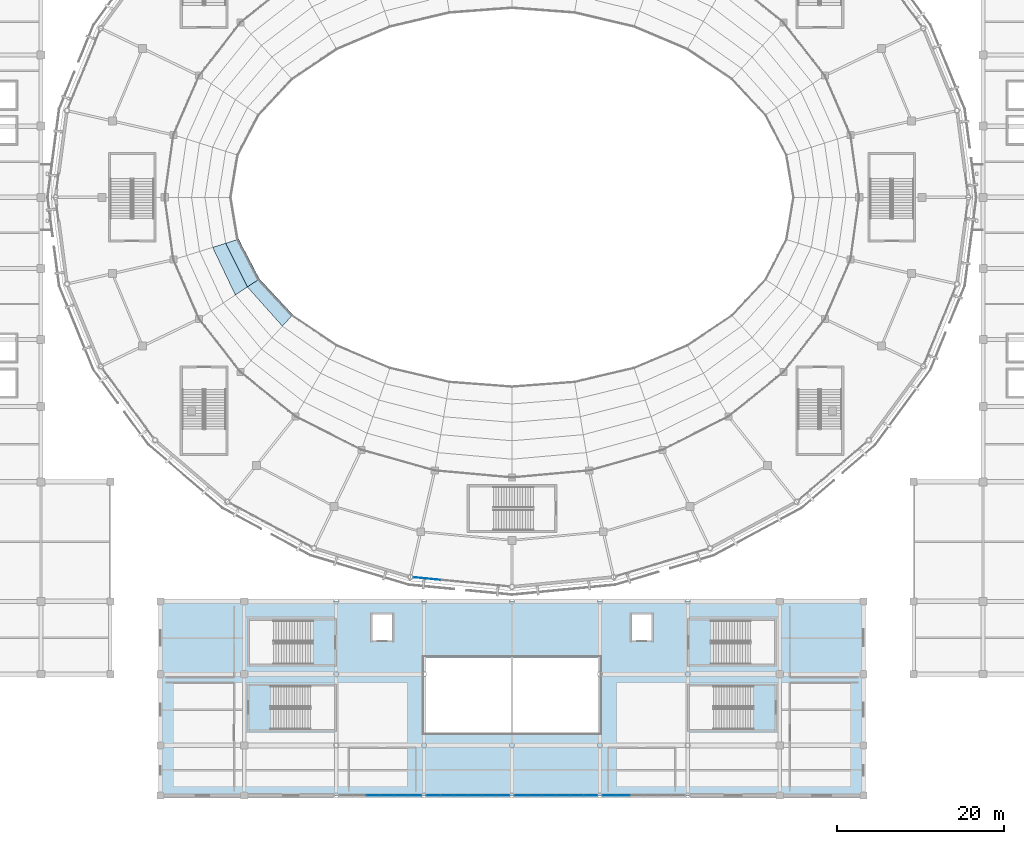
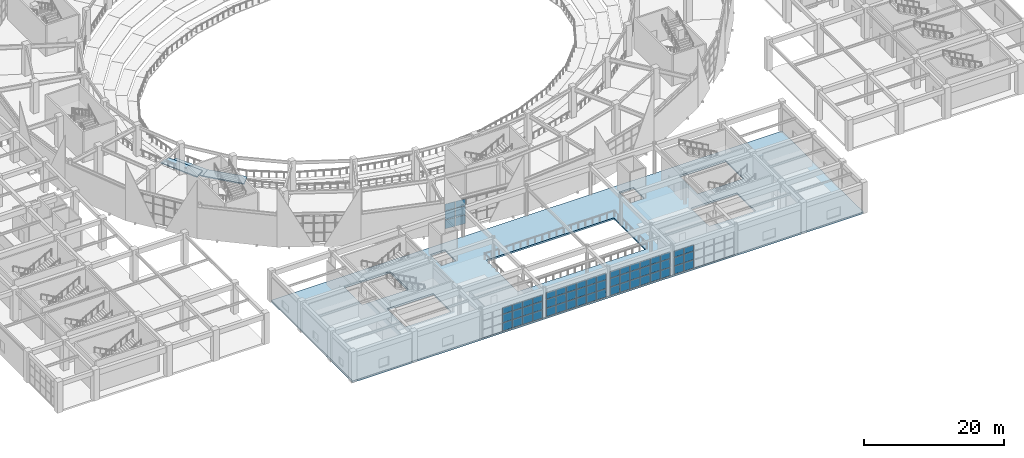
# One storey, part 59 of 120: 60 plates, 4 slabs, 5 elements without a shape of their own.
"""IFC4 building model written with IfcOpenShell, lengths in metres."""

import ifcopenshell
import ifcopenshell.guid

model = None  # the IFC model being written
_history = None  # IfcOwnerHistory: only IFC2X3 demands one
_inside = {}  # id of a spatial element -> (the spatial element, [elements in it])
_under = {}  # id of a project, library or spatial element -> (it, [spatial elements below it])
_declared = {}  # id of a project -> (the project, [libraries it declares])
_typed = {}  # id of a type object -> (the type object, [elements of that type])
_made_of = {}  # id of a material, layer set ... -> (it, [elements and type objects made of it])


def new_model(schema):
    """Start an empty IFC model of exactly this schema.

    Asked for "IFC4X3", IfcOpenShell would pick the latest addendum, in which some entities
    have other attributes; the version numbers below select the first issue.
    IFC2X3 requires an IfcOwnerHistory on every rooted entity: one is made here for all.
    """
    global model, _history
    if schema == "IFC4X3":
        model = ifcopenshell.file(schema_version=(4, 3, 0, 0))
    else:
        model = ifcopenshell.file(schema=schema)
    _inside.clear()
    _under.clear()
    _declared.clear()
    _typed.clear()
    _made_of.clear()
    _history = None
    if model.schema == "IFC2X3":
        org = make("IfcOrganization", Name="unknown")
        user = make(
            "IfcPersonAndOrganization",
            ThePerson=make("IfcPerson", FamilyName="unknown"),
            TheOrganization=org,
        )
        app = make(
            "IfcApplication",
            ApplicationDeveloper=org,
            Version="unknown",
            ApplicationFullName="unknown",
            ApplicationIdentifier="unknown",
        )
        _history = make(
            "IfcOwnerHistory",
            OwningUser=user,
            OwningApplication=app,
            ChangeAction="ADDED",
            CreationDate=0,
        )
    return model


def make(cls, **values):
    """One entity of the class cls with the attributes given. An attribute that is None is left unset."""
    return model.create_entity(
        cls, **{name: value for name, value in values.items() if value is not None}
    )


def rooted(cls, **values):
    """An entity with a GlobalId (a new one), such as an element, a storey or a relation."""
    return make(cls, GlobalId=ifcopenshell.guid.new(), OwnerHistory=_history, **values)


def si_unit(unit_type, name, prefix=None):
    """IfcSIUnit, for example si_unit("LENGTHUNIT", "METRE", prefix="MILLI")."""
    return make("IfcSIUnit", UnitType=unit_type, Prefix=prefix, Name=name)


def assignment(units):
    """IfcUnitAssignment: the units of a project."""
    return None if units is None else make("IfcUnitAssignment", Units=units)


def point(xyz):
    """IfcCartesianPoint."""
    return None if xyz is None else make("IfcCartesianPoint", Coordinates=xyz)


def direction(xyz):
    """IfcDirection."""
    return None if xyz is None else make("IfcDirection", DirectionRatios=xyz)


def frame(location, z_axis=None, x_axis=None):
    """IfcAxis2Placement3D, a coordinate frame: its origin and axes. An axis left out is left unset."""
    return make(
        "IfcAxis2Placement3D",
        Location=point(location),
        Axis=direction(z_axis),
        RefDirection=direction(x_axis),
    )


def frame_2d(location, x_axis=None):
    """IfcAxis2Placement2D, a coordinate frame in the plane: its origin and x axis."""
    return make(
        "IfcAxis2Placement2D", Location=point(location), RefDirection=direction(x_axis)
    )


def origin():
    """The frame at (0, 0, 0) with its axes left unset."""
    return frame((0.0, 0.0, 0.0))


def origin_2d():
    """The frame at (0, 0) in the plane with its x axis left unset."""
    return frame_2d((0.0, 0.0))


def place(relative_to, where):
    """IfcLocalPlacement: puts the frame where relative to a parent placement (None: the world)."""
    return make(
        "IfcLocalPlacement", PlacementRelTo=relative_to, RelativePlacement=where
    )


def context(
    kind, dimensions, precision=None, world=None, true_north=None, identifier=None
):
    """IfcGeometricRepresentationContext, for example the 3D "Model" context."""
    return make(
        "IfcGeometricRepresentationContext",
        ContextIdentifier=identifier,
        ContextType=kind,
        CoordinateSpaceDimension=dimensions,
        Precision=precision,
        WorldCoordinateSystem=world,
        TrueNorth=true_north,
    )


def subcontext(parent, identifier, kind, view, scale=None):
    """IfcGeometricRepresentationSubContext, for example "Body" below "Model"."""
    return make(
        "IfcGeometricRepresentationSubContext",
        ContextIdentifier=identifier,
        ContextType=kind,
        ParentContext=parent,
        TargetScale=scale,
        TargetView=view,
    )


def project(units=None, contexts=None):
    """IfcProject with its units and contexts."""
    return rooted(
        "IfcProject",
        Name="project",
        RepresentationContexts=contexts,
        UnitsInContext=assignment(units),
    )


def spatial(cls, under=None, at=None, **own):
    """A site, building, storey or space (cls), placed at a placement, below another one or the project."""
    s = rooted(cls, ObjectPlacement=at, **own)
    if under is not None:
        _under.setdefault(under.id(), (under, []))[1].append(s)
    return s


def polyline(points):
    """IfcPolyline through the points."""
    return make("IfcPolyline", Points=[point(p) for p in points])


def profile(cls, at=None, kind="AREA", **sizes):
    """A parametric profile (cls). Its sizes go by their IFC names, for example OverallWidth=200.0."""
    return make(cls, ProfileType=kind, Position=at, **sizes)


def rectangle(**sizes):
    """IfcRectangleProfileDef."""
    return profile("IfcRectangleProfileDef", **sizes)


def outline(outer, holes=None, kind="AREA"):
    """IfcArbitraryClosedProfileDef: a profile drawn as a closed curve; with holes, ...WithVoids."""
    if holes is None:
        return make("IfcArbitraryClosedProfileDef", ProfileType=kind, OuterCurve=outer)
    return make(
        "IfcArbitraryProfileDefWithVoids",
        ProfileType=kind,
        OuterCurve=outer,
        InnerCurves=holes,
    )


def extrude(swept, where, along, depth):
    """IfcExtrudedAreaSolid: the profile swept, set in the frame where, extruded along a direction by depth."""
    return make(
        "IfcExtrudedAreaSolid",
        SweptArea=swept,
        Position=where,
        ExtrudedDirection=direction(along),
        Depth=depth,
    )


def shape(context_of_items, identifier, shape_type, items):
    """IfcShapeRepresentation: the items that make up one representation, for example the "Body"."""
    return make(
        "IfcShapeRepresentation",
        ContextOfItems=context_of_items,
        RepresentationIdentifier=identifier,
        RepresentationType=shape_type,
        Items=items,
    )


def material(Name=None, Category=None):
    """IfcMaterial."""
    return make("IfcMaterial", Name=Name, Category=Category)


def layer(
    of_material, thickness, ventilated=None, Name=None, Category=None, Priority=None
):
    """IfcMaterialLayer: one layer of a wall or slab, of a material (None: an air gap)."""
    return make(
        "IfcMaterialLayer",
        Material=of_material,
        LayerThickness=thickness,
        IsVentilated=ventilated,
        Name=Name,
        Category=Category,
        Priority=Priority,
    )


def layer_set(layers, Name=None):
    """IfcMaterialLayerSet."""
    return make("IfcMaterialLayerSet", MaterialLayers=layers, LayerSetName=Name)


def made_of(thing, what):
    """Note that an element or type object is made of a material, layer set ...; save() writes the relation."""
    if what is not None:
        _made_of.setdefault(what.id(), (what, []))[1].append(thing)
    return thing


def type_object(cls, material=None, **own):
    """A type object (cls), such as IfcWallType, which elements share."""
    return made_of(rooted(cls, **own), material)


def element(
    cls,
    number,
    at=None,
    inside=None,
    cuts=None,
    type_object=None,
    material=None,
    context=None,
    identifier="Body",
    shape_type=None,
    held_by="IfcProductDefinitionShape",
    body=None,
    shapes=None,
    **own,
):
    """One element of the class cls, such as IfcWall. Its Tag is "e" and its number.

    at: its placement. inside: the storey or other place that contains it. cuts: it is an
    opening in that element (IfcRelVoidsElement). A single representation is given by context,
    identifier, shape_type and body (its items); several are given by shapes. held_by: the class
    of the entity that holds the representations. save() writes the other relations.
    """
    e = rooted(cls, Tag="e%d" % number, ObjectPlacement=at, **own)
    if body is not None:
        shapes = [shape(context, identifier, shape_type, body)]
    if shapes is not None:
        e.Representation = make(held_by, Representations=shapes)
    if inside is not None:
        _inside.setdefault(inside.id(), (inside, []))[1].append(e)
    if cuts is not None:
        rooted(
            "IfcRelVoidsElement", RelatingBuildingElement=cuts, RelatedOpeningElement=e
        )
    if type_object is not None:
        _typed.setdefault(type_object.id(), (type_object, []))[1].append(e)
    return made_of(e, material)


def aggregate(whole, parts):
    """IfcRelAggregates: a whole, such as a stair, and the parts it consists of."""
    return rooted("IfcRelAggregates", RelatingObject=whole, RelatedObjects=parts)


def save(model, path):
    """Write the relations noted so far, then the file.

    IfcRelAggregates (storeys below a building ...), IfcRelContainedInSpatialStructure (elements
    in a storey), IfcRelDefinesByType, IfcRelAssociatesMaterial and IfcRelDeclares: one each for
    every whole, place, type object, material and project.
    """
    for whole, parts in _under.values():
        aggregate(whole, parts)
    for where, things in _inside.values():
        rooted(
            "IfcRelContainedInSpatialStructure",
            RelatedElements=things,
            RelatingStructure=where,
        )
    for kind, things in _typed.values():
        rooted("IfcRelDefinesByType", RelatedObjects=things, RelatingType=kind)
    for what, things in _made_of.values():
        rooted("IfcRelAssociatesMaterial", RelatedObjects=things, RelatingMaterial=what)
    for by, libraries in _declared.values():
        rooted("IfcRelDeclares", RelatingContext=by, RelatedDefinitions=libraries)
    model.write(path)


model = new_model("IFC4")

# Units and contexts
model_context = context("Model", 3, precision=1e-05, world=origin(), true_north=direction((0.0, 1.0)))
body_context = subcontext(model_context, "Body", "Model", "MODEL_VIEW")
ifc_project = project(units=[si_unit("LENGTHUNIT", "METRE"), si_unit("AREAUNIT", "SQUARE_METRE"), si_unit("VOLUMEUNIT", "CUBIC_METRE"), si_unit("PLANEANGLEUNIT", "RADIAN"), si_unit("MASSUNIT", "GRAM", prefix="KILO")], contexts=[model_context])

# Site, building, storey
site_placement = place(None, origin())
site = spatial("IfcSite", under=ifc_project, at=site_placement, CompositionType="ELEMENT")
building_placement = place(site_placement, origin())
building = spatial("IfcBuilding", under=site, at=building_placement, Name="Cuetzalor Civic Arena", CompositionType="ELEMENT")
storey_placement = place(building_placement, frame((0.0, 0.0, 6.0)))
storey = spatial("IfcBuildingStorey", under=building, at=storey_placement, Name="L01", CompositionType="ELEMENT", Elevation=6.0)

# Curtain wall, plates
ifc_material_1 = material(Name="Anodised dark bronze aluminium and low-E solar glass", Category="aluminium")
curtain_wall_type_1 = type_object("IfcCurtainWallType", Name="UnitisedCW_11550x4450", PredefinedType="USERDEFINED", material=ifc_material_1)
curtain_wall_1_placement = place(storey_placement, origin())
curtain_wall_1 = element("IfcCurtainWall", 1, at=curtain_wall_1_placement, inside=storey, type_object=curtain_wall_type_1, Name="Drum Triangle Foyer Curtain Wall L01-029", ObjectType="UNITISED CURTAIN WALL", PredefinedType="USERDEFINED")
ifc_material_2 = material(Name="Acoustic laminated solar control glass", Category="glass")
ifc_layer_1 = layer(ifc_material_2, 0.0439453125)
ifc_layer_set_1 = layer_set([ifc_layer_1], Name="Acoustic laminated solar control glass")
plate_type_1 = type_object("IfcPlateType", Name="AcousticTripleGlazedPanel_44", PredefinedType="CURTAIN_PANEL", material=ifc_layer_set_1)
plate_1_placement = place(storey_placement, frame((-9.3583984375, -45.650146484375, 0.06494140625), z_axis=(0.0, 0.0, 1.0), x_axis=(-0.995409139996, 0.095711253324, 0.0)))
plate_1 = element("IfcPlate", 2, at=plate_1_placement, type_object=plate_type_1, Name="CW-08 panel 6.1", PredefinedType="CURTAIN_PANEL", context=body_context, shape_type="SweptSolid", body=[
    extrude(rectangle(XDim=1.587158203125, YDim=0.0439453125, at=origin_2d()), origin(), (0.0, 0.0, 1.0), 1.49853515625),
])
plate_2_placement = place(storey_placement, frame((-9.3583984375, -45.650146484375, 1.62841796875), z_axis=(0.0, 0.0, 1.0), x_axis=(-0.995409139996, 0.095711253324, 0.0)))
plate_2 = element("IfcPlate", 3, at=plate_2_placement, type_object=plate_type_1, Name="CW-08 panel 6.2", PredefinedType="CURTAIN_PANEL", context=body_context, shape_type="SweptSolid", body=[
    extrude(rectangle(XDim=1.587158203125, YDim=0.0439453125, at=origin_2d()), origin(), (0.0, 0.0, 1.0), 1.530029296875),
])
plate_3_placement = place(storey_placement, frame((-9.3583984375, -45.650146484375, 3.223388671875), z_axis=(0.0, 0.0, 1.0), x_axis=(-0.995409139996, 0.095711253324, 0.0)))
plate_3 = element("IfcPlate", 4, at=plate_3_placement, type_object=plate_type_1, Name="CW-08 panel 6.3", PredefinedType="CURTAIN_PANEL", context=body_context, shape_type="SweptSolid", body=[
    extrude(rectangle(XDim=1.587158203125, YDim=0.0439453125, at=origin_2d()), origin(), (0.0, 0.0, 1.0), 1.1435546875),
])
plate_4_placement = place(storey_placement, frame((-10.98681640625, -45.49365234375, 0.06494140625), z_axis=(0.0, 0.0, 1.0), x_axis=(-0.995409139996, 0.095711253324, 0.0)))
plate_4 = element("IfcPlate", 5, at=plate_4_placement, type_object=plate_type_1, Name="CW-08 panel 7.1", PredefinedType="CURTAIN_PANEL", context=body_context, shape_type="SweptSolid", body=[
    extrude(rectangle(XDim=1.5546875, YDim=0.0439453125, at=origin_2d()), origin(), (0.0, 0.0, 1.0), 1.49853515625),
])
plate_5_placement = place(storey_placement, frame((-10.98681640625, -45.49365234375, 1.62841796875), z_axis=(0.0, 0.0, 1.0), x_axis=(-0.995409139996, 0.095711253324, 0.0)))
plate_5 = element("IfcPlate", 6, at=plate_5_placement, type_object=plate_type_1, Name="CW-08 panel 7.2", PredefinedType="CURTAIN_PANEL", context=body_context, shape_type="SweptSolid", body=[
    extrude(rectangle(XDim=1.5546875, YDim=0.0439453125, at=origin_2d()), origin(), (0.0, 0.0, 1.0), 1.530029296875),
])
plate_6_placement = place(storey_placement, frame((-10.98681640625, -45.49365234375, 3.223388671875), z_axis=(0.0, 0.0, 1.0), x_axis=(-0.995409139996, 0.095711253324, 0.0)))
plate_6 = element("IfcPlate", 7, at=plate_6_placement, type_object=plate_type_1, Name="CW-08 panel 7.3", PredefinedType="CURTAIN_PANEL", context=body_context, shape_type="SweptSolid", body=[
    extrude(rectangle(XDim=1.5546875, YDim=0.0439453125, at=origin_2d()), origin(), (0.0, 0.0, 1.0), 1.1435546875),
])
aggregate(curtain_wall_1, [plate_1, plate_2, plate_3, plate_4, plate_5, plate_6])

# Slabs
ifc_material_3 = material(Name="Concrete C35/45", Category="concrete")
ifc_layer_2 = layer(ifc_material_3, 0.300048828125)
ifc_layer_set_2 = layer_set([ifc_layer_2], Name="Concrete C35/45")
slab_type_1 = type_object("IfcSlabType", Name="ConcourseFloorSlab_300", PredefinedType="FLOOR", material=ifc_layer_set_2)
slab_1_placement = place(storey_placement, frame((0.0, 0.0, -0.300048828125)))
element("IfcSlab", 8, at=slab_1_placement, inside=storey, type_object=slab_type_1, Name="South Foyer Gallery Floor Slab L01", PredefinedType="FLOOR", context=body_context, shape_type="SweptSolid", body=[
    extrude(outline(polyline([(-42.0, -71.5), (42.0, -71.5), (42.0, -48.300048828125), (-42.0, -48.300048828125), (-42.0, -71.5)]), holes=[polyline([(-28.800048828125, -63.60009765625), (-21.199951171875, -63.60009765625), (-21.199951171875, -58.39990234375), (-28.800048828125, -58.39990234375), (-28.800048828125, -63.60009765625)]), polyline([(-31.39990234375, -55.800048828125), (-23.800048828125, -55.800048828125), (-23.800048828125, -50.60009765625), (-31.39990234375, -50.60009765625), (-31.39990234375, -55.800048828125)]), polyline([(23.800048828125, -55.800048828125), (31.39990234375, -55.800048828125), (31.39990234375, -50.60009765625), (23.800048828125, -50.60009765625), (23.800048828125, -55.800048828125)]), polyline([(21.199951171875, -63.60009765625), (28.800048828125, -63.60009765625), (28.800048828125, -58.39990234375), (21.199951171875, -58.39990234375), (21.199951171875, -63.60009765625)]), polyline([(-16.699951171875, -52.949951171875), (-14.300048828125, -52.949951171875), (-14.300048828125, -49.85009765625), (-16.699951171875, -49.85009765625), (-16.699951171875, -52.949951171875)]), polyline([(14.300048828125, -52.949951171875), (16.699951171875, -52.949951171875), (16.699951171875, -49.85009765625), (14.300048828125, -49.85009765625), (14.300048828125, -52.949951171875)]), polyline([(-10.5, -64.0), (10.5, -64.0), (10.5, -55.0), (-10.5, -55.0), (-10.5, -64.0)])]), origin(), (0.0, 0.0, 1.0), 0.300048828125),
])
ifc_material_4 = material(Name="Precast concrete C45/55", Category="concrete")
ifc_layer_3 = layer(ifc_material_4, 0.179931640625)
ifc_layer_set_3 = layer_set([ifc_layer_3], Name="Precast concrete C45/55")
slab_type_2 = type_object("IfcSlabType", Name="LowerBowlSeatingTier_180", PredefinedType="USERDEFINED", material=ifc_layer_set_3)
slab_2_placement = place(storey_placement, frame((0.0, 0.0, -4.97998046875)))
element("IfcSlab", 9, at=slab_2_placement, inside=storey, type_object=slab_type_2, Name="Stand Lower Tier Bay 16 Row 1", ObjectType="SEATING TIER", PredefinedType="USERDEFINED", context=body_context, shape_type="SweptSolid", body=[
    extrude(outline(polyline([(-32.66015625, -5.006591796875), (-30.1826171875, -9.762451171875), (-31.6240234375, -10.716796875), (-34.219970703125, -5.496337890625), (-32.66015625, -5.006591796875)])), origin(), (0.0, 0.0, 1.0), 0.179931640625),
])
slab_3_placement = place(storey_placement, frame((0.0, 0.0, -4.06005859375)))
element("IfcSlab", 10, at=slab_3_placement, inside=storey, type_object=slab_type_2, Name="Stand Lower Tier Bay 16 Row 2", ObjectType="SEATING TIER", PredefinedType="USERDEFINED", context=body_context, shape_type="SweptSolid", body=[
    extrude(outline(polyline([(-34.219970703125, -5.496337890625), (-31.6240234375, -10.716796875), (-33.065673828125, -11.67138671875), (-35.77978515625, -5.98583984375), (-34.219970703125, -5.496337890625)])), origin(), (0.0, 0.0, 1.0), 0.18017578125),
])
slab_4_placement = place(storey_placement, frame((0.0, 0.0, -4.97998046875)))
element("IfcSlab", 11, at=slab_4_placement, inside=storey, type_object=slab_type_2, Name="Stand Lower Tier Bay 17 Row 1", ObjectType="SEATING TIER", PredefinedType="USERDEFINED", context=body_context, shape_type="SweptSolid", body=[
    extrude(outline(polyline([(-30.1826171875, -9.762451171875), (-26.19140625, -14.028564453125), (-27.4423828125, -15.400146484375), (-31.6240234375, -10.716796875), (-30.1826171875, -9.762451171875)])), origin(), (0.0, 0.0, 1.0), 0.179931640625),
])

# Curtain wall, plates
ifc_material_5 = material(Name="Anodised dark bronze aluminium and low-E solar glass", Category="aluminium")
curtain_wall_type_2 = type_object("IfcCurtainWallType", Name="StickCW_10000x4150", PredefinedType="USERDEFINED", material=ifc_material_5)
curtain_wall_2_placement = place(storey_placement, origin())
curtain_wall_2 = element("IfcCurtainWall", 12, at=curtain_wall_2_placement, inside=storey, type_object=curtain_wall_type_2, Name="South Civic Square Curtain Wall L01-083", ObjectType="STICK CURTAIN WALL", PredefinedType="USERDEFINED")
ifc_material_6 = material(Name="Low-E laminated solar control glass", Category="glass")
ifc_layer_4 = layer(ifc_material_6, 0.031982421875)
ifc_layer_set_4 = layer_set([ifc_layer_4], Name="Low-E laminated solar control glass")
plate_type_2 = type_object("IfcPlateType", Name="SolarControlGlazedPanel_32", PredefinedType="CURTAIN_PANEL", material=ifc_layer_set_4)
plate_7_placement = place(storey_placement, frame((-11.609130859375, -71.5, 0.06494140625), z_axis=(0.0, 0.0, 1.0), x_axis=(-1.0, 0.0, 0.0)))
plate_7 = element("IfcPlate", 13, at=plate_7_placement, type_object=plate_type_2, Name="CW-25 panel 1.1", PredefinedType="CURTAIN_PANEL", context=body_context, shape_type="SweptSolid", body=[
    extrude(rectangle(XDim=1.5654296875, YDim=0.031982421875, at=origin_2d()), origin(), (0.0, 0.0, 1.0), 1.400390625),
])
plate_8_placement = place(storey_placement, frame((-11.609130859375, -71.5, 1.53076171875), z_axis=(0.0, 0.0, 1.0), x_axis=(-1.0, 0.0, 0.0)))
plate_8 = element("IfcPlate", 14, at=plate_8_placement, type_object=plate_type_2, Name="CW-25 panel 1.2", PredefinedType="CURTAIN_PANEL", context=body_context, shape_type="SweptSolid", body=[
    extrude(rectangle(XDim=1.5654296875, YDim=0.031982421875, at=origin_2d()), origin(), (0.0, 0.0, 1.0), 1.431884765625),
])
plate_9_placement = place(storey_placement, frame((-11.609130859375, -71.5, 3.027587890625), z_axis=(0.0, 0.0, 1.0), x_axis=(-1.0, 0.0, 0.0)))
plate_9 = element("IfcPlate", 15, at=plate_9_placement, type_object=plate_type_2, Name="CW-25 panel 1.3", PredefinedType="CURTAIN_PANEL", context=body_context, shape_type="SweptSolid", body=[
    extrude(rectangle(XDim=1.5654296875, YDim=0.031982421875, at=origin_2d()), origin(), (0.0, 0.0, 1.0), 1.0673828125),
])
plate_10_placement = place(storey_placement, frame((-13.255859375, -71.5, 0.06494140625), z_axis=(0.0, 0.0, 1.0), x_axis=(-1.0, 0.0, 0.0)))
plate_10 = element("IfcPlate", 16, at=plate_10_placement, type_object=plate_type_2, Name="CW-25 panel 2.1", PredefinedType="CURTAIN_PANEL", context=body_context, shape_type="SweptSolid", body=[
    extrude(rectangle(XDim=1.597900390625, YDim=0.031982421875, at=origin_2d()), origin(), (0.0, 0.0, 1.0), 1.400390625),
])
plate_11_placement = place(storey_placement, frame((-13.255859375, -71.5, 1.53076171875), z_axis=(0.0, 0.0, 1.0), x_axis=(-1.0, 0.0, 0.0)))
plate_11 = element("IfcPlate", 17, at=plate_11_placement, type_object=plate_type_2, Name="CW-25 panel 2.2", PredefinedType="CURTAIN_PANEL", context=body_context, shape_type="SweptSolid", body=[
    extrude(rectangle(XDim=1.597900390625, YDim=0.031982421875, at=origin_2d()), origin(), (0.0, 0.0, 1.0), 1.431884765625),
])
plate_12_placement = place(storey_placement, frame((-13.255859375, -71.5, 3.027587890625), z_axis=(0.0, 0.0, 1.0), x_axis=(-1.0, 0.0, 0.0)))
plate_12 = element("IfcPlate", 18, at=plate_12_placement, type_object=plate_type_2, Name="CW-25 panel 2.3", PredefinedType="CURTAIN_PANEL", context=body_context, shape_type="SweptSolid", body=[
    extrude(rectangle(XDim=1.597900390625, YDim=0.031982421875, at=origin_2d()), origin(), (0.0, 0.0, 1.0), 1.0673828125),
])
plate_13_placement = place(storey_placement, frame((-14.918701171875, -71.5, 0.06494140625), z_axis=(0.0, 0.0, 1.0), x_axis=(-1.0, 0.0, 0.0)))
plate_13 = element("IfcPlate", 19, at=plate_13_placement, type_object=plate_type_2, Name="CW-25 panel 3.1", PredefinedType="CURTAIN_PANEL", context=body_context, shape_type="SweptSolid", body=[
    extrude(rectangle(XDim=1.597900390625, YDim=0.031982421875, at=origin_2d()), origin(), (0.0, 0.0, 1.0), 1.400390625),
])
plate_14_placement = place(storey_placement, frame((-14.918701171875, -71.5, 1.53076171875), z_axis=(0.0, 0.0, 1.0), x_axis=(-1.0, 0.0, 0.0)))
plate_14 = element("IfcPlate", 20, at=plate_14_placement, type_object=plate_type_2, Name="CW-25 panel 3.2", PredefinedType="CURTAIN_PANEL", context=body_context, shape_type="SweptSolid", body=[
    extrude(rectangle(XDim=1.597900390625, YDim=0.031982421875, at=origin_2d()), origin(), (0.0, 0.0, 1.0), 1.431884765625),
])
plate_15_placement = place(storey_placement, frame((-14.918701171875, -71.5, 3.027587890625), z_axis=(0.0, 0.0, 1.0), x_axis=(-1.0, 0.0, 0.0)))
plate_15 = element("IfcPlate", 21, at=plate_15_placement, type_object=plate_type_2, Name="CW-25 panel 3.3", PredefinedType="CURTAIN_PANEL", context=body_context, shape_type="SweptSolid", body=[
    extrude(rectangle(XDim=1.597900390625, YDim=0.031982421875, at=origin_2d()), origin(), (0.0, 0.0, 1.0), 1.0673828125),
])
plate_16_placement = place(storey_placement, frame((-16.581298828125, -71.5, 0.06494140625), z_axis=(0.0, 0.0, 1.0), x_axis=(-1.0, 0.0, 0.0)))
plate_16 = element("IfcPlate", 22, at=plate_16_placement, type_object=plate_type_2, Name="CW-25 panel 4.1", PredefinedType="CURTAIN_PANEL", context=body_context, shape_type="SweptSolid", body=[
    extrude(rectangle(XDim=1.597900390625, YDim=0.031982421875, at=origin_2d()), origin(), (0.0, 0.0, 1.0), 1.400390625),
])
plate_17_placement = place(storey_placement, frame((-16.581298828125, -71.5, 1.53076171875), z_axis=(0.0, 0.0, 1.0), x_axis=(-1.0, 0.0, 0.0)))
plate_17 = element("IfcPlate", 23, at=plate_17_placement, type_object=plate_type_2, Name="CW-25 panel 4.2", PredefinedType="CURTAIN_PANEL", context=body_context, shape_type="SweptSolid", body=[
    extrude(rectangle(XDim=1.597900390625, YDim=0.031982421875, at=origin_2d()), origin(), (0.0, 0.0, 1.0), 1.431884765625),
])
plate_18_placement = place(storey_placement, frame((-16.581298828125, -71.5, 3.027587890625), z_axis=(0.0, 0.0, 1.0), x_axis=(-1.0, 0.0, 0.0)))
plate_18 = element("IfcPlate", 24, at=plate_18_placement, type_object=plate_type_2, Name="CW-25 panel 4.3", PredefinedType="CURTAIN_PANEL", context=body_context, shape_type="SweptSolid", body=[
    extrude(rectangle(XDim=1.597900390625, YDim=0.031982421875, at=origin_2d()), origin(), (0.0, 0.0, 1.0), 1.0673828125),
])
aggregate(curtain_wall_2, [plate_7, plate_8, plate_9, plate_10, plate_11, plate_12, plate_13, plate_14, plate_15, plate_16, plate_17, plate_18])

ifc_material_7 = material(Name="Anodised dark bronze aluminium and low-E solar glass", Category="aluminium")
curtain_wall_type_3 = type_object("IfcCurtainWallType", Name="StickCW_10000x4250", PredefinedType="USERDEFINED", material=ifc_material_7)
curtain_wall_3_placement = place(storey_placement, origin())
curtain_wall_3 = element("IfcCurtainWall", 25, at=curtain_wall_3_placement, inside=storey, type_object=curtain_wall_type_3, Name="South Civic Square Curtain Wall L01-084", ObjectType="STICK CURTAIN WALL", PredefinedType="USERDEFINED")
plate_19_placement = place(storey_placement, frame((-1.109130859375, -71.5, 0.06494140625), z_axis=(0.0, 0.0, 1.0), x_axis=(-1.0, 0.0, 0.0)))
plate_19 = element("IfcPlate", 26, at=plate_19_placement, type_object=plate_type_2, Name="CW-26 panel 1.1", PredefinedType="CURTAIN_PANEL", context=body_context, shape_type="SweptSolid", body=[
    extrude(rectangle(XDim=1.5654296875, YDim=0.031982421875, at=origin_2d()), origin(), (0.0, 0.0, 1.0), 1.4365234375),
])
plate_20_placement = place(storey_placement, frame((-1.109130859375, -71.5, 1.56640625), z_axis=(0.0, 0.0, 1.0), x_axis=(-1.0, 0.0, 0.0)))
plate_20 = element("IfcPlate", 27, at=plate_20_placement, type_object=plate_type_2, Name="CW-26 panel 1.2", PredefinedType="CURTAIN_PANEL", context=body_context, shape_type="SweptSolid", body=[
    extrude(rectangle(XDim=1.5654296875, YDim=0.031982421875, at=origin_2d()), origin(), (0.0, 0.0, 1.0), 1.468017578125),
])
plate_21_placement = place(storey_placement, frame((-1.109130859375, -71.5, 3.099609375), z_axis=(0.0, 0.0, 1.0), x_axis=(-1.0, 0.0, 0.0)))
plate_21 = element("IfcPlate", 28, at=plate_21_placement, type_object=plate_type_2, Name="CW-26 panel 1.3", PredefinedType="CURTAIN_PANEL", context=body_context, shape_type="SweptSolid", body=[
    extrude(rectangle(XDim=1.5654296875, YDim=0.031982421875, at=origin_2d()), origin(), (0.0, 0.0, 1.0), 1.095458984375),
])
plate_22_placement = place(storey_placement, frame((-2.755859375, -71.5, 0.06494140625), z_axis=(0.0, 0.0, 1.0), x_axis=(-1.0, 0.0, 0.0)))
plate_22 = element("IfcPlate", 29, at=plate_22_placement, type_object=plate_type_2, Name="CW-26 panel 2.1", PredefinedType="CURTAIN_PANEL", context=body_context, shape_type="SweptSolid", body=[
    extrude(rectangle(XDim=1.597900390625, YDim=0.031982421875, at=origin_2d()), origin(), (0.0, 0.0, 1.0), 1.4365234375),
])
plate_23_placement = place(storey_placement, frame((-2.755859375, -71.5, 1.56640625), z_axis=(0.0, 0.0, 1.0), x_axis=(-1.0, 0.0, 0.0)))
plate_23 = element("IfcPlate", 30, at=plate_23_placement, type_object=plate_type_2, Name="CW-26 panel 2.2", PredefinedType="CURTAIN_PANEL", context=body_context, shape_type="SweptSolid", body=[
    extrude(rectangle(XDim=1.597900390625, YDim=0.031982421875, at=origin_2d()), origin(), (0.0, 0.0, 1.0), 1.468017578125),
])
plate_24_placement = place(storey_placement, frame((-2.755859375, -71.5, 3.099609375), z_axis=(0.0, 0.0, 1.0), x_axis=(-1.0, 0.0, 0.0)))
plate_24 = element("IfcPlate", 31, at=plate_24_placement, type_object=plate_type_2, Name="CW-26 panel 2.3", PredefinedType="CURTAIN_PANEL", context=body_context, shape_type="SweptSolid", body=[
    extrude(rectangle(XDim=1.597900390625, YDim=0.031982421875, at=origin_2d()), origin(), (0.0, 0.0, 1.0), 1.095458984375),
])
plate_25_placement = place(storey_placement, frame((-4.418701171875, -71.5, 0.06494140625), z_axis=(0.0, 0.0, 1.0), x_axis=(-1.0, 0.0, 0.0)))
plate_25 = element("IfcPlate", 32, at=plate_25_placement, type_object=plate_type_2, Name="CW-26 panel 3.1", PredefinedType="CURTAIN_PANEL", context=body_context, shape_type="SweptSolid", body=[
    extrude(rectangle(XDim=1.597900390625, YDim=0.031982421875, at=origin_2d()), origin(), (0.0, 0.0, 1.0), 1.4365234375),
])
plate_26_placement = place(storey_placement, frame((-4.418701171875, -71.5, 1.56640625), z_axis=(0.0, 0.0, 1.0), x_axis=(-1.0, 0.0, 0.0)))
plate_26 = element("IfcPlate", 33, at=plate_26_placement, type_object=plate_type_2, Name="CW-26 panel 3.2", PredefinedType="CURTAIN_PANEL", context=body_context, shape_type="SweptSolid", body=[
    extrude(rectangle(XDim=1.597900390625, YDim=0.031982421875, at=origin_2d()), origin(), (0.0, 0.0, 1.0), 1.468017578125),
])
plate_27_placement = place(storey_placement, frame((-4.418701171875, -71.5, 3.099609375), z_axis=(0.0, 0.0, 1.0), x_axis=(-1.0, 0.0, 0.0)))
plate_27 = element("IfcPlate", 34, at=plate_27_placement, type_object=plate_type_2, Name="CW-26 panel 3.3", PredefinedType="CURTAIN_PANEL", context=body_context, shape_type="SweptSolid", body=[
    extrude(rectangle(XDim=1.597900390625, YDim=0.031982421875, at=origin_2d()), origin(), (0.0, 0.0, 1.0), 1.095458984375),
])
plate_28_placement = place(storey_placement, frame((-6.081298828125, -71.5, 0.06494140625), z_axis=(0.0, 0.0, 1.0), x_axis=(-1.0, 0.0, 0.0)))
plate_28 = element("IfcPlate", 35, at=plate_28_placement, type_object=plate_type_2, Name="CW-26 panel 4.1", PredefinedType="CURTAIN_PANEL", context=body_context, shape_type="SweptSolid", body=[
    extrude(rectangle(XDim=1.597900390625, YDim=0.031982421875, at=origin_2d()), origin(), (0.0, 0.0, 1.0), 1.4365234375),
])
plate_29_placement = place(storey_placement, frame((-6.081298828125, -71.5, 1.56640625), z_axis=(0.0, 0.0, 1.0), x_axis=(-1.0, 0.0, 0.0)))
plate_29 = element("IfcPlate", 36, at=plate_29_placement, type_object=plate_type_2, Name="CW-26 panel 4.2", PredefinedType="CURTAIN_PANEL", context=body_context, shape_type="SweptSolid", body=[
    extrude(rectangle(XDim=1.597900390625, YDim=0.031982421875, at=origin_2d()), origin(), (0.0, 0.0, 1.0), 1.468017578125),
])
plate_30_placement = place(storey_placement, frame((-6.081298828125, -71.5, 3.099609375), z_axis=(0.0, 0.0, 1.0), x_axis=(-1.0, 0.0, 0.0)))
plate_30 = element("IfcPlate", 37, at=plate_30_placement, type_object=plate_type_2, Name="CW-26 panel 4.3", PredefinedType="CURTAIN_PANEL", context=body_context, shape_type="SweptSolid", body=[
    extrude(rectangle(XDim=1.597900390625, YDim=0.031982421875, at=origin_2d()), origin(), (0.0, 0.0, 1.0), 1.095458984375),
])
plate_31_placement = place(storey_placement, frame((-7.744140625, -71.5, 0.06494140625), z_axis=(0.0, 0.0, 1.0), x_axis=(-1.0, 0.0, 0.0)))
plate_31 = element("IfcPlate", 38, at=plate_31_placement, type_object=plate_type_2, Name="CW-26 panel 5.1", PredefinedType="CURTAIN_PANEL", context=body_context, shape_type="SweptSolid", body=[
    extrude(rectangle(XDim=1.597900390625, YDim=0.031982421875, at=origin_2d()), origin(), (0.0, 0.0, 1.0), 1.4365234375),
])
plate_32_placement = place(storey_placement, frame((-7.744140625, -71.5, 1.56640625), z_axis=(0.0, 0.0, 1.0), x_axis=(-1.0, 0.0, 0.0)))
plate_32 = element("IfcPlate", 39, at=plate_32_placement, type_object=plate_type_2, Name="CW-26 panel 5.2", PredefinedType="CURTAIN_PANEL", context=body_context, shape_type="SweptSolid", body=[
    extrude(rectangle(XDim=1.597900390625, YDim=0.031982421875, at=origin_2d()), origin(), (0.0, 0.0, 1.0), 1.468017578125),
])
plate_33_placement = place(storey_placement, frame((-7.744140625, -71.5, 3.099609375), z_axis=(0.0, 0.0, 1.0), x_axis=(-1.0, 0.0, 0.0)))
plate_33 = element("IfcPlate", 40, at=plate_33_placement, type_object=plate_type_2, Name="CW-26 panel 5.3", PredefinedType="CURTAIN_PANEL", context=body_context, shape_type="SweptSolid", body=[
    extrude(rectangle(XDim=1.597900390625, YDim=0.031982421875, at=origin_2d()), origin(), (0.0, 0.0, 1.0), 1.095458984375),
])
plate_34_placement = place(storey_placement, frame((-9.390869140625, -71.5, 0.06494140625), z_axis=(0.0, 0.0, 1.0), x_axis=(-1.0, 0.0, 0.0)))
plate_34 = element("IfcPlate", 41, at=plate_34_placement, type_object=plate_type_2, Name="CW-26 panel 6.1", PredefinedType="CURTAIN_PANEL", context=body_context, shape_type="SweptSolid", body=[
    extrude(rectangle(XDim=1.5654296875, YDim=0.031982421875, at=origin_2d()), origin(), (0.0, 0.0, 1.0), 1.4365234375),
])
plate_35_placement = place(storey_placement, frame((-9.390869140625, -71.5, 1.56640625), z_axis=(0.0, 0.0, 1.0), x_axis=(-1.0, 0.0, 0.0)))
plate_35 = element("IfcPlate", 42, at=plate_35_placement, type_object=plate_type_2, Name="CW-26 panel 6.2", PredefinedType="CURTAIN_PANEL", context=body_context, shape_type="SweptSolid", body=[
    extrude(rectangle(XDim=1.5654296875, YDim=0.031982421875, at=origin_2d()), origin(), (0.0, 0.0, 1.0), 1.468017578125),
])
plate_36_placement = place(storey_placement, frame((-9.390869140625, -71.5, 3.099609375), z_axis=(0.0, 0.0, 1.0), x_axis=(-1.0, 0.0, 0.0)))
plate_36 = element("IfcPlate", 43, at=plate_36_placement, type_object=plate_type_2, Name="CW-26 panel 6.3", PredefinedType="CURTAIN_PANEL", context=body_context, shape_type="SweptSolid", body=[
    extrude(rectangle(XDim=1.5654296875, YDim=0.031982421875, at=origin_2d()), origin(), (0.0, 0.0, 1.0), 1.095458984375),
])
aggregate(curtain_wall_3, [plate_19, plate_20, plate_21, plate_22, plate_23, plate_24, plate_25, plate_26, plate_27, plate_28, plate_29, plate_30, plate_31, plate_32, plate_33, plate_34, plate_35, plate_36])

curtain_wall_4_placement = place(storey_placement, origin())
curtain_wall_4 = element("IfcCurtainWall", 44, at=curtain_wall_4_placement, inside=storey, type_object=curtain_wall_type_3, Name="South Civic Square Curtain Wall L01-085", ObjectType="STICK CURTAIN WALL", PredefinedType="USERDEFINED")
plate_37_placement = place(storey_placement, frame((9.390869140625, -71.5, 0.06494140625), z_axis=(0.0, 0.0, 1.0), x_axis=(-1.0, 0.0, 0.0)))
plate_37 = element("IfcPlate", 45, at=plate_37_placement, type_object=plate_type_2, Name="CW-26 panel 1.1", PredefinedType="CURTAIN_PANEL", context=body_context, shape_type="SweptSolid", body=[
    extrude(rectangle(XDim=1.5654296875, YDim=0.031982421875, at=origin_2d()), origin(), (0.0, 0.0, 1.0), 1.4365234375),
])
plate_38_placement = place(storey_placement, frame((9.390869140625, -71.5, 1.56640625), z_axis=(0.0, 0.0, 1.0), x_axis=(-1.0, 0.0, 0.0)))
plate_38 = element("IfcPlate", 46, at=plate_38_placement, type_object=plate_type_2, Name="CW-26 panel 1.2", PredefinedType="CURTAIN_PANEL", context=body_context, shape_type="SweptSolid", body=[
    extrude(rectangle(XDim=1.5654296875, YDim=0.031982421875, at=origin_2d()), origin(), (0.0, 0.0, 1.0), 1.468017578125),
])
plate_39_placement = place(storey_placement, frame((9.390869140625, -71.5, 3.099609375), z_axis=(0.0, 0.0, 1.0), x_axis=(-1.0, 0.0, 0.0)))
plate_39 = element("IfcPlate", 47, at=plate_39_placement, type_object=plate_type_2, Name="CW-26 panel 1.3", PredefinedType="CURTAIN_PANEL", context=body_context, shape_type="SweptSolid", body=[
    extrude(rectangle(XDim=1.5654296875, YDim=0.031982421875, at=origin_2d()), origin(), (0.0, 0.0, 1.0), 1.095458984375),
])
plate_40_placement = place(storey_placement, frame((7.744140625, -71.5, 0.06494140625), z_axis=(0.0, 0.0, 1.0), x_axis=(-1.0, 0.0, 0.0)))
plate_40 = element("IfcPlate", 48, at=plate_40_placement, type_object=plate_type_2, Name="CW-26 panel 2.1", PredefinedType="CURTAIN_PANEL", context=body_context, shape_type="SweptSolid", body=[
    extrude(rectangle(XDim=1.597900390625, YDim=0.031982421875, at=origin_2d()), origin(), (0.0, 0.0, 1.0), 1.4365234375),
])
plate_41_placement = place(storey_placement, frame((7.744140625, -71.5, 1.56640625), z_axis=(0.0, 0.0, 1.0), x_axis=(-1.0, 0.0, 0.0)))
plate_41 = element("IfcPlate", 49, at=plate_41_placement, type_object=plate_type_2, Name="CW-26 panel 2.2", PredefinedType="CURTAIN_PANEL", context=body_context, shape_type="SweptSolid", body=[
    extrude(rectangle(XDim=1.597900390625, YDim=0.031982421875, at=origin_2d()), origin(), (0.0, 0.0, 1.0), 1.468017578125),
])
plate_42_placement = place(storey_placement, frame((7.744140625, -71.5, 3.099609375), z_axis=(0.0, 0.0, 1.0), x_axis=(-1.0, 0.0, 0.0)))
plate_42 = element("IfcPlate", 50, at=plate_42_placement, type_object=plate_type_2, Name="CW-26 panel 2.3", PredefinedType="CURTAIN_PANEL", context=body_context, shape_type="SweptSolid", body=[
    extrude(rectangle(XDim=1.597900390625, YDim=0.031982421875, at=origin_2d()), origin(), (0.0, 0.0, 1.0), 1.095458984375),
])
plate_43_placement = place(storey_placement, frame((6.081298828125, -71.5, 0.06494140625), z_axis=(0.0, 0.0, 1.0), x_axis=(-1.0, 0.0, 0.0)))
plate_43 = element("IfcPlate", 51, at=plate_43_placement, type_object=plate_type_2, Name="CW-26 panel 3.1", PredefinedType="CURTAIN_PANEL", context=body_context, shape_type="SweptSolid", body=[
    extrude(rectangle(XDim=1.597900390625, YDim=0.031982421875, at=origin_2d()), origin(), (0.0, 0.0, 1.0), 1.4365234375),
])
plate_44_placement = place(storey_placement, frame((6.081298828125, -71.5, 1.56640625), z_axis=(0.0, 0.0, 1.0), x_axis=(-1.0, 0.0, 0.0)))
plate_44 = element("IfcPlate", 52, at=plate_44_placement, type_object=plate_type_2, Name="CW-26 panel 3.2", PredefinedType="CURTAIN_PANEL", context=body_context, shape_type="SweptSolid", body=[
    extrude(rectangle(XDim=1.597900390625, YDim=0.031982421875, at=origin_2d()), origin(), (0.0, 0.0, 1.0), 1.468017578125),
])
plate_45_placement = place(storey_placement, frame((6.081298828125, -71.5, 3.099609375), z_axis=(0.0, 0.0, 1.0), x_axis=(-1.0, 0.0, 0.0)))
plate_45 = element("IfcPlate", 53, at=plate_45_placement, type_object=plate_type_2, Name="CW-26 panel 3.3", PredefinedType="CURTAIN_PANEL", context=body_context, shape_type="SweptSolid", body=[
    extrude(rectangle(XDim=1.597900390625, YDim=0.031982421875, at=origin_2d()), origin(), (0.0, 0.0, 1.0), 1.095458984375),
])
plate_46_placement = place(storey_placement, frame((4.418701171875, -71.5, 0.06494140625), z_axis=(0.0, 0.0, 1.0), x_axis=(-1.0, 0.0, 0.0)))
plate_46 = element("IfcPlate", 54, at=plate_46_placement, type_object=plate_type_2, Name="CW-26 panel 4.1", PredefinedType="CURTAIN_PANEL", context=body_context, shape_type="SweptSolid", body=[
    extrude(rectangle(XDim=1.597900390625, YDim=0.031982421875, at=origin_2d()), origin(), (0.0, 0.0, 1.0), 1.4365234375),
])
plate_47_placement = place(storey_placement, frame((4.418701171875, -71.5, 1.56640625), z_axis=(0.0, 0.0, 1.0), x_axis=(-1.0, 0.0, 0.0)))
plate_47 = element("IfcPlate", 55, at=plate_47_placement, type_object=plate_type_2, Name="CW-26 panel 4.2", PredefinedType="CURTAIN_PANEL", context=body_context, shape_type="SweptSolid", body=[
    extrude(rectangle(XDim=1.597900390625, YDim=0.031982421875, at=origin_2d()), origin(), (0.0, 0.0, 1.0), 1.468017578125),
])
plate_48_placement = place(storey_placement, frame((4.418701171875, -71.5, 3.099609375), z_axis=(0.0, 0.0, 1.0), x_axis=(-1.0, 0.0, 0.0)))
plate_48 = element("IfcPlate", 56, at=plate_48_placement, type_object=plate_type_2, Name="CW-26 panel 4.3", PredefinedType="CURTAIN_PANEL", context=body_context, shape_type="SweptSolid", body=[
    extrude(rectangle(XDim=1.597900390625, YDim=0.031982421875, at=origin_2d()), origin(), (0.0, 0.0, 1.0), 1.095458984375),
])
plate_49_placement = place(storey_placement, frame((2.755859375, -71.5, 0.06494140625), z_axis=(0.0, 0.0, 1.0), x_axis=(-1.0, 0.0, 0.0)))
plate_49 = element("IfcPlate", 57, at=plate_49_placement, type_object=plate_type_2, Name="CW-26 panel 5.1", PredefinedType="CURTAIN_PANEL", context=body_context, shape_type="SweptSolid", body=[
    extrude(rectangle(XDim=1.597900390625, YDim=0.031982421875, at=origin_2d()), origin(), (0.0, 0.0, 1.0), 1.4365234375),
])
plate_50_placement = place(storey_placement, frame((2.755859375, -71.5, 1.56640625), z_axis=(0.0, 0.0, 1.0), x_axis=(-1.0, 0.0, 0.0)))
plate_50 = element("IfcPlate", 58, at=plate_50_placement, type_object=plate_type_2, Name="CW-26 panel 5.2", PredefinedType="CURTAIN_PANEL", context=body_context, shape_type="SweptSolid", body=[
    extrude(rectangle(XDim=1.597900390625, YDim=0.031982421875, at=origin_2d()), origin(), (0.0, 0.0, 1.0), 1.468017578125),
])
plate_51_placement = place(storey_placement, frame((2.755859375, -71.5, 3.099609375), z_axis=(0.0, 0.0, 1.0), x_axis=(-1.0, 0.0, 0.0)))
plate_51 = element("IfcPlate", 59, at=plate_51_placement, type_object=plate_type_2, Name="CW-26 panel 5.3", PredefinedType="CURTAIN_PANEL", context=body_context, shape_type="SweptSolid", body=[
    extrude(rectangle(XDim=1.597900390625, YDim=0.031982421875, at=origin_2d()), origin(), (0.0, 0.0, 1.0), 1.095458984375),
])
plate_52_placement = place(storey_placement, frame((1.109130859375, -71.5, 0.06494140625), z_axis=(0.0, 0.0, 1.0), x_axis=(-1.0, 0.0, 0.0)))
plate_52 = element("IfcPlate", 60, at=plate_52_placement, type_object=plate_type_2, Name="CW-26 panel 6.1", PredefinedType="CURTAIN_PANEL", context=body_context, shape_type="SweptSolid", body=[
    extrude(rectangle(XDim=1.5654296875, YDim=0.031982421875, at=origin_2d()), origin(), (0.0, 0.0, 1.0), 1.4365234375),
])
plate_53_placement = place(storey_placement, frame((1.109130859375, -71.5, 1.56640625), z_axis=(0.0, 0.0, 1.0), x_axis=(-1.0, 0.0, 0.0)))
plate_53 = element("IfcPlate", 61, at=plate_53_placement, type_object=plate_type_2, Name="CW-26 panel 6.2", PredefinedType="CURTAIN_PANEL", context=body_context, shape_type="SweptSolid", body=[
    extrude(rectangle(XDim=1.5654296875, YDim=0.031982421875, at=origin_2d()), origin(), (0.0, 0.0, 1.0), 1.468017578125),
])
plate_54_placement = place(storey_placement, frame((1.109130859375, -71.5, 3.099609375), z_axis=(0.0, 0.0, 1.0), x_axis=(-1.0, 0.0, 0.0)))
plate_54 = element("IfcPlate", 62, at=plate_54_placement, type_object=plate_type_2, Name="CW-26 panel 6.3", PredefinedType="CURTAIN_PANEL", context=body_context, shape_type="SweptSolid", body=[
    extrude(rectangle(XDim=1.5654296875, YDim=0.031982421875, at=origin_2d()), origin(), (0.0, 0.0, 1.0), 1.095458984375),
])
aggregate(curtain_wall_4, [plate_37, plate_38, plate_39, plate_40, plate_41, plate_42, plate_43, plate_44, plate_45, plate_46, plate_47, plate_48, plate_49, plate_50, plate_51, plate_52, plate_53, plate_54])

curtain_wall_5_placement = place(storey_placement, origin())
curtain_wall_5 = element("IfcCurtainWall", 63, at=curtain_wall_5_placement, inside=storey, type_object=curtain_wall_type_2, Name="South Civic Square Curtain Wall L01-086", ObjectType="STICK CURTAIN WALL", PredefinedType="USERDEFINED")
plate_55_placement = place(storey_placement, frame((13.255859375, -71.5, 0.06494140625), z_axis=(0.0, 0.0, 1.0), x_axis=(-1.0, 0.0, 0.0)))
plate_55 = element("IfcPlate", 64, at=plate_55_placement, type_object=plate_type_2, Name="CW-25 panel 5.1", PredefinedType="CURTAIN_PANEL", context=body_context, shape_type="SweptSolid", body=[
    extrude(rectangle(XDim=1.597900390625, YDim=0.031982421875, at=origin_2d()), origin(), (0.0, 0.0, 1.0), 1.400390625),
])
plate_56_placement = place(storey_placement, frame((13.255859375, -71.5, 1.53076171875), z_axis=(0.0, 0.0, 1.0), x_axis=(-1.0, 0.0, 0.0)))
plate_56 = element("IfcPlate", 65, at=plate_56_placement, type_object=plate_type_2, Name="CW-25 panel 5.2", PredefinedType="CURTAIN_PANEL", context=body_context, shape_type="SweptSolid", body=[
    extrude(rectangle(XDim=1.597900390625, YDim=0.031982421875, at=origin_2d()), origin(), (0.0, 0.0, 1.0), 1.431884765625),
])
plate_57_placement = place(storey_placement, frame((13.255859375, -71.5, 3.027587890625), z_axis=(0.0, 0.0, 1.0), x_axis=(-1.0, 0.0, 0.0)))
plate_57 = element("IfcPlate", 66, at=plate_57_placement, type_object=plate_type_2, Name="CW-25 panel 5.3", PredefinedType="CURTAIN_PANEL", context=body_context, shape_type="SweptSolid", body=[
    extrude(rectangle(XDim=1.597900390625, YDim=0.031982421875, at=origin_2d()), origin(), (0.0, 0.0, 1.0), 1.0673828125),
])
plate_58_placement = place(storey_placement, frame((11.609130859375, -71.5, 0.06494140625), z_axis=(0.0, 0.0, 1.0), x_axis=(-1.0, 0.0, 0.0)))
plate_58 = element("IfcPlate", 67, at=plate_58_placement, type_object=plate_type_2, Name="CW-25 panel 6.1", PredefinedType="CURTAIN_PANEL", context=body_context, shape_type="SweptSolid", body=[
    extrude(rectangle(XDim=1.5654296875, YDim=0.031982421875, at=origin_2d()), origin(), (0.0, 0.0, 1.0), 1.400390625),
])
plate_59_placement = place(storey_placement, frame((11.609130859375, -71.5, 1.53076171875), z_axis=(0.0, 0.0, 1.0), x_axis=(-1.0, 0.0, 0.0)))
plate_59 = element("IfcPlate", 68, at=plate_59_placement, type_object=plate_type_2, Name="CW-25 panel 6.2", PredefinedType="CURTAIN_PANEL", context=body_context, shape_type="SweptSolid", body=[
    extrude(rectangle(XDim=1.5654296875, YDim=0.031982421875, at=origin_2d()), origin(), (0.0, 0.0, 1.0), 1.431884765625),
])
plate_60_placement = place(storey_placement, frame((11.609130859375, -71.5, 3.027587890625), z_axis=(0.0, 0.0, 1.0), x_axis=(-1.0, 0.0, 0.0)))
plate_60 = element("IfcPlate", 69, at=plate_60_placement, type_object=plate_type_2, Name="CW-25 panel 6.3", PredefinedType="CURTAIN_PANEL", context=body_context, shape_type="SweptSolid", body=[
    extrude(rectangle(XDim=1.5654296875, YDim=0.031982421875, at=origin_2d()), origin(), (0.0, 0.0, 1.0), 1.0673828125),
])
aggregate(curtain_wall_5, [plate_55, plate_56, plate_57, plate_58, plate_59, plate_60])

save(model, "model.ifc")
